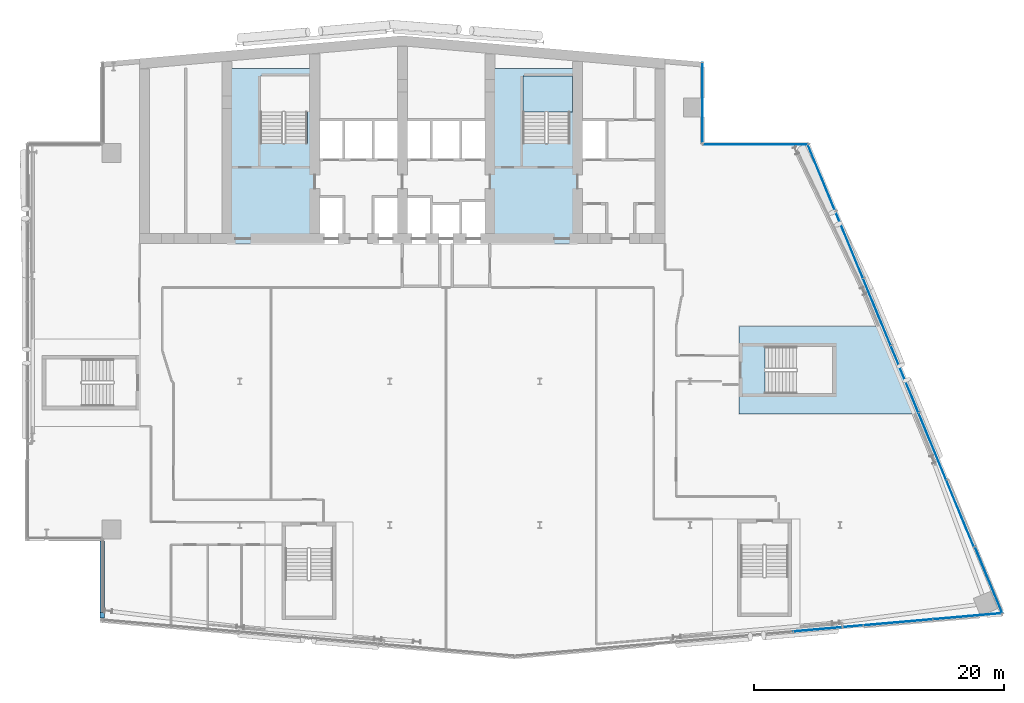
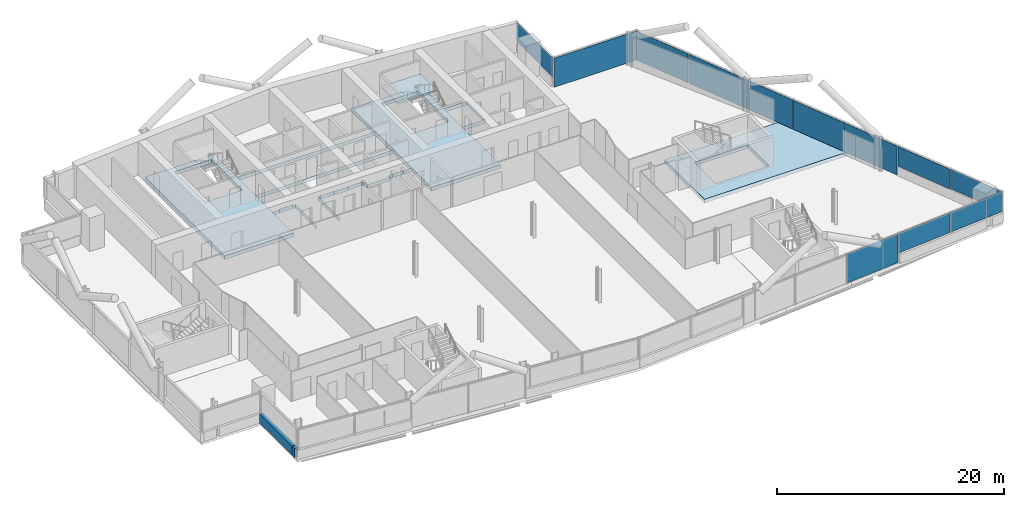
# One storey, part 14 of 26: 12 plates, 3 slabs, 2 walls, 5 elements without a shape of their own.
"""IFC4 building model written with IfcOpenShell, lengths in metres."""

from ifc_helpers import new_model, si_unit, direction, frame, frame_2d, origin, origin_2d, place, context, subcontext, project, spatial, polyline, rectangle, outline, extrude, material, layer, layer_set, type_object, element, aggregate, save


model = new_model("IFC4")

# Units and contexts
model_context = context("Model", 3, precision=1e-05, world=origin(), true_north=direction((0.0, 1.0)))
body_context = subcontext(model_context, "Body", "Model", "MODEL_VIEW")
ifc_project = project(units=[si_unit("LENGTHUNIT", "METRE"), si_unit("AREAUNIT", "SQUARE_METRE"), si_unit("VOLUMEUNIT", "CUBIC_METRE"), si_unit("PLANEANGLEUNIT", "RADIAN"), si_unit("MASSUNIT", "GRAM", prefix="KILO")], contexts=[model_context])

# Site, building, storey
site_placement = place(None, origin())
site = spatial("IfcSite", under=ifc_project, at=site_placement, CompositionType="ELEMENT")
building_placement = place(site_placement, origin())
building = spatial("IfcBuilding", under=site, at=building_placement, Name="Wharfspan Tower", CompositionType="ELEMENT")
storey_placement = place(building_placement, frame((0.0, 0.0, 184.300049)))
storey = spatial("IfcBuildingStorey", under=building, at=storey_placement, Name="L45", CompositionType="ELEMENT", Elevation=184.300049)

# Curtain wall, plates
ifc_material_1 = material(Name="Aluminium 6063-T6", Category="aluminium")
curtain_wall_type_1 = type_object("IfcCurtainWallType", Name="CURTAIN WALL FACETED FRONT", PredefinedType="NOTDEFINED", material=ifc_material_1)
curtain_wall_1_placement = place(storey_placement, origin())
curtain_wall_1 = element("IfcCurtainWall", 1, at=curtain_wall_1_placement, inside=storey, type_object=curtain_wall_type_1, Name="Curtain wall S2", PredefinedType="NOTDEFINED")
ifc_material_2 = material(Name="Glass clear low-iron double glazing", Category="glass")
ifc_layer_1 = layer(ifc_material_2, 0.040039)
ifc_layer_set_1 = layer_set([ifc_layer_1], Name="Glass clear low-iron double glazing")
plate_type_1 = type_object("IfcPlateType", Name="GLASS PANEL FACETED FRONT 40", PredefinedType="CURTAIN_PANEL", material=ifc_layer_set_1)
plate_1_placement = place(storey_placement, frame((76.637695, 3.728516, 1.0), z_axis=(0.0, 0.0, 1.0), x_axis=(0.996198, 0.087156, 0.0)))
plate_1 = element("IfcPlate", 2, at=plate_1_placement, type_object=plate_type_1, Name="Curtain wall S2 panel 6", PredefinedType="CURTAIN_PANEL", context=body_context, shape_type="SweptSolid", body=[
    extrude(rectangle(XDim=5.532715, YDim=0.040039, at=origin_2d()), origin(), (0.0, 0.0, 1.0), 2.120117),
])
plate_2_placement = place(storey_placement, frame((82.194092, 4.214844, 1.0), z_axis=(0.0, 0.0, 1.0), x_axis=(0.996198, 0.087156, 0.0)))
plate_2 = element("IfcPlate", 3, at=plate_2_placement, type_object=plate_type_1, Name="Curtain wall S2 panel 7", PredefinedType="CURTAIN_PANEL", context=body_context, shape_type="SweptSolid", body=[
    extrude(rectangle(XDim=5.502686, YDim=0.040039, at=origin_2d()), origin(), (0.0, 0.0, 1.0), 2.120117),
])

curtain_wall_type_2 = type_object("IfcCurtainWallType", Name="CURTAIN WALL PROW AND END", PredefinedType="NOTDEFINED", material=ifc_material_1)
curtain_wall_2_placement = place(storey_placement, origin())
curtain_wall_2 = element("IfcCurtainWall", 4, at=curtain_wall_2_placement, inside=storey, type_object=curtain_wall_type_2, Name="Curtain wall E", PredefinedType="NOTDEFINED")
ifc_layer_2 = layer(ifc_material_2, 0.040039)
ifc_layer_set_2 = layer_set([ifc_layer_2], Name="Glass clear low-iron double glazing")
plate_type_2 = type_object("IfcPlateType", Name="GLASS PANEL PROW AND END 40", PredefinedType="CURTAIN_PANEL", material=ifc_layer_set_2)
plate_3_placement = place(storey_placement, frame((83.885498, 7.099609, 1.0), z_axis=(0.0, 0.0, 1.0), x_axis=(-0.381602, 0.924325, 0.0)))
plate_3 = element("IfcPlate", 5, at=plate_3_placement, type_object=plate_type_2, Name="Curtain wall E panel 1", PredefinedType="CURTAIN_PANEL", context=body_context, shape_type="SweptSolid", body=[
    extrude(rectangle(XDim=5.721191, YDim=0.040039, at=origin_2d()), origin(), (0.0, 0.0, 1.0), 2.120117),
])
plate_4_placement = place(storey_placement, frame((81.599609, 12.426514, 1.0), z_axis=(0.0, 0.0, 1.0), x_axis=(-0.381602, 0.924325, 0.0)))
plate_4 = element("IfcPlate", 6, at=plate_4_placement, type_object=plate_type_2, Name="Curtain wall E panel 2", PredefinedType="CURTAIN_PANEL", context=body_context, shape_type="SweptSolid", body=[
    extrude(rectangle(XDim=5.751221, YDim=0.040039, at=origin_2d()), origin(), (0.0, 0.0, 1.0), 2.120117),
])

# Curtain wall, plate
curtain_wall_3_placement = place(storey_placement, origin())
curtain_wall_3 = element("IfcCurtainWall", 7, at=curtain_wall_3_placement, inside=storey, type_object=curtain_wall_type_2, Name="Curtain wall NRE-V", PredefinedType="NOTDEFINED")
plate_5_placement = place(storey_placement, frame((61.0, 45.262451, 1.0), z_axis=(0.0, 0.0, 1.0), x_axis=(0.0, 1.0, 0.0)))
plate_5 = element("IfcPlate", 8, at=plate_5_placement, type_object=plate_type_2, Name="Curtain wall NRE-V panel 1", PredefinedType="CURTAIN_PANEL", context=body_context, shape_type="SweptSolid", body=[
    extrude(rectangle(XDim=6.405029, YDim=0.040039, at=origin_2d()), origin(), (0.0, 0.0, 1.0), 2.120117),
])
aggregate(curtain_wall_3, [plate_5])

# Plate
ifc_material_3 = material(Name="Aluminium composite opaque insulated panel", Category="aluminium")
ifc_layer_3 = layer(ifc_material_3, 0.040039)
ifc_layer_set_3 = layer_set([ifc_layer_3], Name="Aluminium composite opaque insulated panel")
plate_type_3 = type_object("IfcPlateType", Name="INFILL PANEL FACETED FRONT OPAQUE 40", PredefinedType="SHEET", material=ifc_layer_set_3)
plate_6_placement = place(storey_placement, frame((71.066162, 3.241211, 0.0), z_axis=(0.0, 0.0, 1.0), x_axis=(0.996198, 0.087156, 0.0)))
plate_6 = element("IfcPlate", 9, at=plate_6_placement, type_object=plate_type_3, Name="Curtain wall S2 panel 5", PredefinedType="SHEET", context=body_context, shape_type="SweptSolid", body=[
    extrude(rectangle(XDim=5.532715, YDim=0.040039, at=origin_2d()), origin(), (0.0, 0.0, 1.0), 3.120117),
])

aggregate(curtain_wall_1, [plate_6, plate_1, plate_2])

ifc_layer_4 = layer(ifc_material_3, 0.040039)
ifc_layer_set_4 = layer_set([ifc_layer_4], Name="Aluminium composite opaque insulated panel")
plate_type_4 = type_object("IfcPlateType", Name="INFILL PANEL PROW AND END OPAQUE 40", PredefinedType="SHEET", material=ifc_layer_set_4)
plate_7_placement = place(storey_placement, frame((79.38208, 17.798096, 0.0), z_axis=(0.0, 0.0, 1.0), x_axis=(-0.381602, 0.924325, 0.0)))
plate_7 = element("IfcPlate", 10, at=plate_7_placement, type_object=plate_type_4, Name="Curtain wall E panel 3", PredefinedType="SHEET", context=body_context, shape_type="SweptSolid", body=[
    extrude(rectangle(XDim=5.751221, YDim=0.040039, at=origin_2d()), origin(), (0.0, 0.0, 1.0), 3.120117),
])

plate_8_placement = place(storey_placement, frame((77.164551, 23.169434, 0.0), z_axis=(0.0, 0.0, 1.0), x_axis=(-0.381602, 0.924325, 0.0)))
plate_8 = element("IfcPlate", 11, at=plate_8_placement, type_object=plate_type_4, Name="Curtain wall E panel 4", PredefinedType="SHEET", context=body_context, shape_type="SweptSolid", body=[
    extrude(rectangle(XDim=5.751221, YDim=0.040039, at=origin_2d()), origin(), (0.0, 0.0, 1.0), 3.120117),
])

plate_9_placement = place(storey_placement, frame((74.947021, 28.541016, 0.0), z_axis=(0.0, 0.0, 1.0), x_axis=(-0.381602, 0.924325, 0.0)))
plate_9 = element("IfcPlate", 12, at=plate_9_placement, type_object=plate_type_4, Name="Curtain wall E panel 5", PredefinedType="SHEET", context=body_context, shape_type="SweptSolid", body=[
    extrude(rectangle(XDim=5.751221, YDim=0.040039, at=origin_2d()), origin(), (0.0, 0.0, 1.0), 3.120117),
])

plate_10_placement = place(storey_placement, frame((72.729492, 33.912354, 0.0), z_axis=(0.0, 0.0, 1.0), x_axis=(-0.381602, 0.924325, 0.0)))
plate_10 = element("IfcPlate", 13, at=plate_10_placement, type_object=plate_type_4, Name="Curtain wall E panel 6", PredefinedType="SHEET", context=body_context, shape_type="SweptSolid", body=[
    extrude(rectangle(XDim=5.751221, YDim=0.040039, at=origin_2d()), origin(), (0.0, 0.0, 1.0), 3.120117),
])

plate_11_placement = place(storey_placement, frame((70.517578, 39.269775, 0.0), z_axis=(0.0, 0.0, 1.0), x_axis=(-0.381602, 0.924325, 0.0)))
plate_11 = element("IfcPlate", 14, at=plate_11_placement, type_object=plate_type_4, Name="Curtain wall E panel 7", PredefinedType="SHEET", context=body_context, shape_type="SweptSolid", body=[
    extrude(rectangle(XDim=5.721191, YDim=0.040039, at=origin_2d()), origin(), (0.0, 0.0, 1.0), 3.120117),
])

aggregate(curtain_wall_2, [plate_3, plate_4, plate_7, plate_8, plate_9, plate_10, plate_11])

# Curtain wall, plate
curtain_wall_4_placement = place(storey_placement, origin())
curtain_wall_4 = element("IfcCurtainWall", 15, at=curtain_wall_4_placement, inside=storey, type_object=curtain_wall_type_2, Name="Curtain wall NRE-H", PredefinedType="NOTDEFINED")
plate_12_placement = place(storey_placement, frame((65.238525, 41.919922, 0.0), z_axis=(0.0, 0.0, 1.0), x_axis=(-1.0, 0.0, 0.0)))
plate_12 = element("IfcPlate", 16, at=plate_12_placement, type_object=plate_type_4, Name="Curtain wall NRE-H panel 1", PredefinedType="SHEET", context=body_context, shape_type="SweptSolid", body=[
    extrude(rectangle(XDim=8.357178, YDim=0.040039, at=origin_2d()), origin(), (0.0, 0.0, 1.0), 3.120117),
])
aggregate(curtain_wall_4, [plate_12])

# Slabs
ifc_material_4 = material(Name="Concrete C40/50", Category="concrete")
ifc_layer_5 = layer(ifc_material_4, 0.399902)
ifc_layer_set_5 = layer_set([ifc_layer_5], Name="Concrete C40/50")
slab_type_1 = type_object("IfcSlabType", Name="Post-tensioned flat slab 400", PredefinedType="FLOOR", material=ifc_layer_set_5)
slab_1_placement = place(storey_placement, frame((0.0, 0.0, -0.400146)))
element("IfcSlab", 17, at=slab_1_placement, inside=storey, type_object=slab_type_1, Name="Core floor slab L45 part 3", PredefinedType="FLOOR", context=body_context, shape_type="SweptSolid", body=[
    extrude(outline(polyline([(23.0, 34.0), (29.998047, 34.0), (29.998047, 37.75), (29.998047, 37.750244), (29.998047, 37.750488), (29.998047, 37.750488), (29.998291, 37.750732), (29.998291, 37.750977), (29.998291, 37.751221), (29.998535, 37.751221), (29.998535, 37.751465), (29.998779, 37.751465), (29.998779, 37.751709), (29.999023, 37.751709), (29.999268, 37.751709), (29.999512, 37.751953), (29.999512, 37.751953), (29.999756, 37.751953), (30.0, 37.751953), (30.7146, 37.751953), (30.7146, 37.800049), (30.7146, 37.800293), (30.7146, 37.800293), (30.714844, 37.800537), (30.714844, 37.800781), (30.714844, 37.800781), (30.715088, 37.801025), (30.715088, 37.80127), (30.715332, 37.801514), (30.715332, 37.801514), (30.715576, 37.801758), (30.71582, 37.801758), (30.71582, 37.801758), (30.716064, 37.802002), (30.716309, 37.802002), (30.716553, 37.802002), (30.716797, 37.802002), (32.116699, 37.802002), (32.116943, 37.802002), (32.117188, 37.802002), (32.117188, 37.802002), (32.117432, 37.801758), (32.117676, 37.801758), (32.11792, 37.801758), (32.11792, 37.801514), (32.118164, 37.801514), (32.118164, 37.80127), (32.118408, 37.801025), (32.118408, 37.800781), (32.118408, 37.800781), (32.118652, 37.800537), (32.118652, 37.800293), (32.118652, 37.800293), (32.118652, 37.800049), (32.118652, 37.751953), (32.333252, 37.751953), (32.333496, 37.751953), (32.33374, 37.751953), (32.333984, 37.751953), (32.333984, 37.751709), (32.334229, 37.751709), (32.334473, 37.751709), (32.334717, 37.751465), (32.334717, 37.751465), (32.334961, 37.751221), (32.334961, 37.751221), (32.335205, 37.750977), (32.335205, 37.750732), (32.335205, 37.750488), (32.335205, 37.750488), (32.335205, 37.750244), (32.335205, 37.75), (32.335205, 34.0), (32.341309, 34.0), (32.341309, 37.758057), (32.126709, 37.758057), (32.126465, 37.758057), (32.126221, 37.758057), (32.126221, 37.758057), (32.125977, 37.758301), (32.125732, 37.758301), (32.125488, 37.758301), (32.125488, 37.758545), (32.125244, 37.758545), (32.125244, 37.758789), (32.125, 37.758789), (32.125, 37.759033), (32.125, 37.759277), (32.124756, 37.759521), (32.124756, 37.759521), (32.124756, 37.759766), (32.124756, 37.76001), (32.124756, 37.808105), (30.70874, 37.808105), (30.70874, 37.76001), (30.70874, 37.759766), (30.70874, 37.759521), (30.708496, 37.759521), (30.708496, 37.759277), (30.708496, 37.759033), (30.708496, 37.758789), (30.708252, 37.758789), (30.708008, 37.758545), (30.708008, 37.758545), (30.707764, 37.758301), (30.70752, 37.758301), (30.70752, 37.758301), (30.707275, 37.758057), (30.707031, 37.758057), (30.706787, 37.758057), (30.706787, 37.758057), (30.01001, 37.758057), (30.009766, 37.758057), (30.009521, 37.758057), (30.009521, 37.758057), (30.009277, 37.758301), (30.009033, 37.758301), (30.008789, 37.758301), (30.008789, 37.758545), (30.008545, 37.758545), (30.008545, 37.758789), (30.008301, 37.758789), (30.008301, 37.759033), (30.008301, 37.759277), (30.008057, 37.759521), (30.008057, 37.759521), (30.008057, 37.759766), (30.008057, 37.76001), (30.008057, 40.689941), (30.008057, 40.690186), (30.008057, 40.69043), (30.008057, 40.690674), (30.008301, 40.690918), (30.008301, 40.690918), (30.008301, 40.691162), (30.008545, 40.691406), (30.008545, 40.691406), (30.008789, 40.691406), (30.008789, 40.69165), (30.009033, 40.691895), (30.009277, 40.691895), (30.009521, 40.691895), (30.009521, 40.691895), (30.009766, 40.691895), (30.01001, 40.691895), (43.98999, 40.691895), (43.990234, 40.691895), (43.990479, 40.691895), (43.990479, 40.691895), (43.990723, 40.691895), (43.990967, 40.691895), (43.991211, 40.69165), (43.991211, 40.691406), (43.991455, 40.691406), (43.991455, 40.691406), (43.991699, 40.691162), (43.991699, 40.690918), (43.991699, 40.690918), (43.991943, 40.690674), (43.991943, 40.69043), (43.991943, 40.690186), (43.991943, 40.689941), (43.991943, 37.459961), (43.991943, 37.459717), (43.991943, 37.459717), (43.991943, 37.459473), (43.991699, 37.459229), (43.991699, 37.458984), (43.991699, 37.458984), (43.991455, 37.45874), (43.991455, 37.458496), (43.991211, 37.458496), (43.991211, 37.458252), (43.990967, 37.458252), (43.990723, 37.458252), (43.990479, 37.458008), (43.990479, 37.458008), (43.990234, 37.458008), (43.98999, 37.458008), (43.143311, 37.458008), (43.143066, 37.458008), (43.142822, 37.458008), (43.142578, 37.458008), (43.142578, 37.458252), (43.142334, 37.458252), (43.14209, 37.458252), (43.14209, 37.458496), (43.141846, 37.458496), (43.141846, 37.45874), (43.141602, 37.458984), (43.141602, 37.458984), (43.141602, 37.459229), (43.141357, 37.459473), (43.141357, 37.459717), (43.141357, 37.459717), (43.141357, 37.459961), (43.141357, 37.508057), (42.025391, 37.508057), (42.025391, 37.459961), (42.025391, 37.459717), (42.025391, 37.459717), (42.025146, 37.459473), (42.025146, 37.459229), (42.025146, 37.458984), (42.024902, 37.458984), (42.024902, 37.45874), (42.024658, 37.458496), (42.024658, 37.458496), (42.024414, 37.458252), (42.02417, 37.458252), (42.02417, 37.458252), (42.023926, 37.458008), (42.023682, 37.458008), (42.023438, 37.458008), (42.023193, 37.458008), (41.658691, 37.458008), (41.658691, 37.209961), (41.658691, 37.209717), (41.658691, 37.209717), (41.658691, 37.209473), (41.658447, 37.209229), (41.658447, 37.208984), (41.658447, 37.208984), (41.658203, 37.20874), (41.658203, 37.208496), (41.657959, 37.208496), (41.657715, 37.208252), (41.657715, 37.208252), (41.657471, 37.208252), (41.657227, 37.208008), (41.656982, 37.208008), (41.656982, 37.208008), (41.656738, 37.208008), (39.343262, 37.208008), (39.343018, 37.208008), (39.343018, 37.208008), (39.342773, 37.208008), (39.342529, 37.208252), (39.342285, 37.208252), (39.342285, 37.208252), (39.342041, 37.208496), (39.341797, 37.208496), (39.341797, 37.20874), (39.341553, 37.208984), (39.341553, 37.208984), (39.341553, 37.209229), (39.341309, 37.209473), (39.341309, 37.209717), (39.341309, 37.209717), (39.341309, 37.209961), (39.341309, 37.758057), (39.166748, 37.758057), (39.166504, 37.758057), (39.16626, 37.758057), (39.166016, 37.758057), (39.166016, 37.758301), (39.165771, 37.758301), (39.165527, 37.758301), (39.165283, 37.758545), (39.165283, 37.758545), (39.165283, 37.758789), (39.165039, 37.758789), (39.164795, 37.759033), (39.164795, 37.759277), (39.164795, 37.759521), (39.164795, 37.759521), (39.164795, 37.759766), (39.164795, 37.76001), (39.164795, 37.808105), (37.668701, 37.808105), (37.668701, 37.76001), (37.668701, 37.759766), (37.668701, 37.759521), (37.668701, 37.759521), (37.668457, 37.759277), (37.668457, 37.759033), (37.668457, 37.758789), (37.668213, 37.758789), (37.668213, 37.758545), (37.667969, 37.758545), (37.667725, 37.758301), (37.66748, 37.758301), (37.66748, 37.758301), (37.667236, 37.758057), (37.666992, 37.758057), (37.666992, 37.758057), (37.666748, 37.758057), (36.293213, 37.758057), (36.293213, 37.758057), (36.292969, 37.758057), (36.292725, 37.758057), (36.29248, 37.758301), (36.29248, 37.758301), (36.292236, 37.758301), (36.291992, 37.758545), (36.291992, 37.758545), (36.291748, 37.758789), (36.291504, 37.758789), (36.291504, 37.759033), (36.291504, 37.759277), (36.291504, 37.759521), (36.29126, 37.759521), (36.29126, 37.759766), (36.29126, 37.76001), (36.29126, 37.808105), (34.875244, 37.808105), (34.875244, 37.76001), (34.875244, 37.759766), (34.875244, 37.759521), (34.875244, 37.759521), (34.875, 37.759277), (34.875, 37.759033), (34.875, 37.758789), (34.874756, 37.758789), (34.874756, 37.758545), (34.874512, 37.758545), (34.874512, 37.758301), (34.874268, 37.758301), (34.874023, 37.758301), (34.873779, 37.758057), (34.873779, 37.758057), (34.873535, 37.758057), (34.873291, 37.758057), (34.658691, 37.758057), (34.658691, 34.0), (34.664795, 34.0), (34.664795, 37.75), (34.664795, 37.750244), (34.664795, 37.750488), (34.664795, 37.750488), (34.664795, 37.750732), (34.664795, 37.750977), (34.665039, 37.751221), (34.665039, 37.751221), (34.665283, 37.751465), (34.665283, 37.751465), (34.665527, 37.751709), (34.665771, 37.751709), (34.666016, 37.751709), (34.666016, 37.751953), (34.66626, 37.751953), (34.666504, 37.751953), (34.666748, 37.751953), (34.881348, 37.751953), (34.881348, 37.800049), (34.881348, 37.800293), (34.881348, 37.800293), (34.881348, 37.800537), (34.881592, 37.800781), (34.881592, 37.800781), (34.881592, 37.801025), (34.881836, 37.80127), (34.881836, 37.801514), (34.88208, 37.801514), (34.88208, 37.801758), (34.882324, 37.801758), (34.882568, 37.801758), (34.882812, 37.802002), (34.882812, 37.802002), (34.883057, 37.802002), (34.883301, 37.802002), (36.283203, 37.802002), (36.283447, 37.802002), (36.283691, 37.802002), (36.283936, 37.802002), (36.28418, 37.801758), (36.28418, 37.801758), (36.284424, 37.801758), (36.284668, 37.801514), (36.284668, 37.801514), (36.284912, 37.80127), (36.284912, 37.801025), (36.285156, 37.800781), (36.285156, 37.800781), (36.285156, 37.800537), (36.2854, 37.800293), (36.2854, 37.800293), (36.2854, 37.800049), (36.2854, 37.751953), (37.674805, 37.751953), (37.674805, 37.800049), (37.674805, 37.800293), (37.674805, 37.800293), (37.674805, 37.800537), (37.674805, 37.800781), (37.674805, 37.800781), (37.675049, 37.801025), (37.675049, 37.80127), (37.675293, 37.801514), (37.675293, 37.801514), (37.675537, 37.801758), (37.675781, 37.801758), (37.675781, 37.801758), (37.676025, 37.802002), (37.67627, 37.802002), (37.676514, 37.802002), (37.676758, 37.802002), (39.156738, 37.802002), (39.156982, 37.802002), (39.156982, 37.802002), (39.157227, 37.802002), (39.157471, 37.801758), (39.157715, 37.801758), (39.157715, 37.801758), (39.157959, 37.801514), (39.158203, 37.801514), (39.158203, 37.80127), (39.158203, 37.801025), (39.158447, 37.800781), (39.158447, 37.800781), (39.158691, 37.800537), (39.158691, 37.800293), (39.158691, 37.800293), (39.158691, 37.800049), (39.158691, 37.751953), (39.333252, 37.751953), (39.333496, 37.751953), (39.33374, 37.751953), (39.333984, 37.751953), (39.333984, 37.751709), (39.334229, 37.751709), (39.334473, 37.751709), (39.334717, 37.751465), (39.334717, 37.751465), (39.334961, 37.751221), (39.334961, 37.751221), (39.335205, 37.750977), (39.335205, 37.750732), (39.335205, 37.750488), (39.335205, 37.750488), (39.335205, 37.750244), (39.335205, 37.75), (39.335205, 37.201904), (41.664795, 37.201904), (41.664795, 37.449951), (41.664795, 37.450195), (41.664795, 37.450439), (41.664795, 37.450684), (41.664795, 37.450684), (41.664795, 37.450928), (41.665039, 37.451172), (41.665039, 37.451416), (41.665283, 37.451416), (41.665283, 37.451416), (41.665527, 37.45166), (41.665771, 37.451904), (41.666016, 37.451904), (41.666016, 37.451904), (41.66626, 37.451904), (41.666504, 37.451904), (41.666748, 37.451904), (42.03125, 37.451904), (42.03125, 37.5), (42.03125, 37.500244), (42.031494, 37.500488), (42.031494, 37.500488), (42.031494, 37.500732), (42.031494, 37.500977), (42.031738, 37.501221), (42.031738, 37.501221), (42.031982, 37.501465), (42.031982, 37.501465), (42.032227, 37.501709), (42.032471, 37.501709), (42.032715, 37.501709), (42.032715, 37.501953), (42.032959, 37.501953), (42.033203, 37.501953), (42.033203, 37.501953), (43.133301, 37.501953), (43.133545, 37.501953), (43.133789, 37.501953), (43.133789, 37.501953), (43.134033, 37.501709), (43.134277, 37.501709), (43.134521, 37.501709), (43.134521, 37.501465), (43.134766, 37.501465), (43.13501, 37.501221), (43.13501, 37.501221), (43.13501, 37.500977), (43.135254, 37.500732), (43.135254, 37.500488), (43.135254, 37.500488), (43.135254, 37.500244), (43.135254, 37.5), (43.135254, 37.451904), (44.0, 37.451904), (44.000244, 37.451904), (44.000488, 37.451904), (44.000488, 37.451904), (44.000732, 37.451904), (44.000977, 37.451904), (44.001221, 37.45166), (44.001221, 37.451416), (44.001465, 37.451416), (44.001465, 37.451416), (44.001709, 37.451172), (44.001709, 37.450928), (44.001709, 37.450684), (44.001953, 37.450684), (44.001953, 37.450439), (44.001953, 37.450195), (44.001953, 37.449951), (44.001953, 34.0), (51.0, 34.0), (51.008057, 34.0), (51.008057, 40.689941), (51.008057, 40.690186), (51.008057, 40.69043), (51.008057, 40.690674), (51.008301, 40.690918), (51.008301, 40.690918), (51.008301, 40.691162), (51.008545, 40.691406), (51.008545, 40.691406), (51.008789, 40.691406), (51.008789, 40.69165), (51.009033, 40.691895), (51.009277, 40.691895), (51.009521, 40.691895), (51.009521, 40.691895), (51.009766, 40.691895), (51.01001, 40.691895), (53.341309, 40.691895), (53.341309, 43.907959), (51.01001, 43.907959), (51.009766, 43.907959), (51.009521, 43.907959), (51.009521, 43.908203), (51.009277, 43.908203), (51.009033, 43.908203), (51.008789, 43.908203), (51.008789, 43.908447), (51.008545, 43.908691), (51.008545, 43.908691), (51.008301, 43.908936), (51.008301, 43.90918), (51.008301, 43.90918), (51.008057, 43.909424), (51.008057, 43.909668), (51.008057, 43.909912), (51.008057, 43.909912), (51.008057, 48.008057), (43.991943, 48.008057), (43.991943, 43.909912), (43.991943, 43.909912), (43.991943, 43.909668), (43.991943, 43.909424), (43.991699, 43.90918), (43.991699, 43.90918), (43.991699, 43.908936), (43.991455, 43.908691), (43.991455, 43.908691), (43.991211, 43.908447), (43.991211, 43.908203), (43.990967, 43.908203), (43.990723, 43.908203), (43.990479, 43.908203), (43.990479, 43.907959), (43.990234, 43.907959), (43.98999, 43.907959), (30.01001, 43.907959), (30.009766, 43.907959), (30.009521, 43.907959), (30.009521, 43.908203), (30.009277, 43.908203), (30.009033, 43.908203), (30.008789, 43.908203), (30.008789, 43.908447), (30.008545, 43.908691), (30.008545, 43.908691), (30.008301, 43.908936), (30.008301, 43.90918), (30.008301, 43.90918), (30.008057, 43.909424), (30.008057, 43.909668), (30.008057, 43.909912), (30.008057, 43.909912), (30.008057, 48.008057), (22.991943, 48.008057), (22.991943, 34.0), (23.0, 34.0)]), holes=[polyline([(53.333252, 43.9021), (53.333496, 43.9021), (53.33374, 43.9021), (53.333984, 43.901855), (53.333984, 43.901855), (53.334229, 43.901855), (53.334473, 43.901611), (53.334717, 43.901611), (53.334717, 43.901367), (53.334961, 43.901367), (53.334961, 43.901123), (53.335205, 43.900879), (53.335205, 43.900879), (53.335205, 43.900635), (53.335205, 43.900391), (53.335205, 43.900146), (53.335205, 43.899902), (53.335205, 40.699951), (53.335205, 40.699707), (53.335205, 40.699707), (53.335205, 40.699463), (53.335205, 40.699219), (53.335205, 40.699219), (53.334961, 40.698975), (53.334961, 40.69873), (53.334717, 40.698486), (53.334717, 40.698486), (53.334473, 40.698242), (53.334229, 40.698242), (53.333984, 40.698242), (53.333984, 40.697998), (53.33374, 40.697998), (53.333496, 40.697998), (53.333252, 40.697998), (51.0, 40.697998), (50.999756, 40.697998), (50.999512, 40.697998), (50.999512, 40.697998), (50.999268, 40.698242), (50.999023, 40.698242), (50.998779, 40.698242), (50.998779, 40.698486), (50.998535, 40.698486), (50.998535, 40.69873), (50.998291, 40.698975), (50.998291, 40.699219), (50.998291, 40.699219), (50.998047, 40.699463), (50.998047, 40.699707), (50.998047, 40.699707), (50.998047, 40.699951), (50.998047, 43.899902), (50.998047, 43.900146), (50.998047, 43.900391), (50.998047, 43.900635), (50.998291, 43.900879), (50.998291, 43.900879), (50.998291, 43.901123), (50.998535, 43.901367), (50.998535, 43.901367), (50.998779, 43.901611), (50.998779, 43.901611), (50.999023, 43.901855), (50.999268, 43.901855), (50.999512, 43.901855), (50.999512, 43.9021), (50.999756, 43.9021), (51.0, 43.9021), (53.333252, 43.9021)]), polyline([(46.649902, 41.998047), (46.649902, 41.998047), (46.649658, 41.998047), (46.649414, 41.998047), (46.64917, 41.998291), (46.64917, 41.998291), (46.648926, 41.998291), (46.648682, 41.998535), (46.648682, 41.998535), (46.648438, 41.998779), (46.648193, 41.998779), (46.648193, 41.999023), (46.648193, 41.999268), (46.648193, 41.999512), (46.647949, 41.999512), (46.647949, 41.999756), (46.647949, 42.0), (46.647949, 47.399902), (46.647949, 47.400146), (46.647949, 47.400391), (46.648193, 47.400635), (46.648193, 47.400879), (46.648193, 47.400879), (46.648193, 47.401123), (46.648438, 47.401367), (46.648682, 47.401367), (46.648682, 47.401611), (46.648926, 47.401611), (46.64917, 47.401855), (46.64917, 47.401855), (46.649414, 47.401855), (46.649658, 47.4021), (46.649902, 47.4021), (46.649902, 47.4021), (50.399902, 47.4021), (50.400146, 47.4021), (50.400391, 47.4021), (50.400635, 47.401855), (50.400879, 47.401855), (50.400879, 47.401855), (50.401123, 47.401611), (50.401367, 47.401611), (50.401367, 47.401367), (50.401611, 47.401367), (50.401611, 47.401123), (50.401855, 47.400879), (50.401855, 47.400879), (50.401855, 47.400635), (50.4021, 47.400391), (50.4021, 47.400146), (50.4021, 47.399902), (50.4021, 42.0), (50.4021, 41.999756), (50.4021, 41.999512), (50.401855, 41.999512), (50.401855, 41.999268), (50.401855, 41.999023), (50.401611, 41.998779), (50.401611, 41.998779), (50.401367, 41.998535), (50.401367, 41.998535), (50.401123, 41.998291), (50.400879, 41.998291), (50.400879, 41.998291), (50.400635, 41.998047), (50.400391, 41.998047), (50.400146, 41.998047), (50.399902, 41.998047), (46.649902, 41.998047)]), polyline([(44.0, 43.9021), (44.000244, 43.9021), (44.000488, 43.9021), (44.000488, 43.901855), (44.000732, 43.901855), (44.000977, 43.901855), (44.001221, 43.901611), (44.001221, 43.901611), (44.001465, 43.901367), (44.001465, 43.901367), (44.001709, 43.901123), (44.001709, 43.900879), (44.001709, 43.900879), (44.001953, 43.900635), (44.001953, 43.900391), (44.001953, 43.900146), (44.001953, 43.899902), (44.001953, 40.699951), (44.001953, 40.699707), (44.001953, 40.699707), (44.001953, 40.699463), (44.001709, 40.699219), (44.001709, 40.699219), (44.001709, 40.698975), (44.001465, 40.69873), (44.001465, 40.698486), (44.001221, 40.698486), (44.001221, 40.698242), (44.000977, 40.698242), (44.000732, 40.698242), (44.000488, 40.697998), (44.000488, 40.697998), (44.000244, 40.697998), (44.0, 40.697998), (30.0, 40.697998), (29.999756, 40.697998), (29.999512, 40.697998), (29.999512, 40.697998), (29.999268, 40.698242), (29.999023, 40.698242), (29.998779, 40.698242), (29.998779, 40.698486), (29.998535, 40.698486), (29.998535, 40.69873), (29.998291, 40.698975), (29.998291, 40.699219), (29.998291, 40.699219), (29.998047, 40.699463), (29.998047, 40.699707), (29.998047, 40.699707), (29.998047, 40.699951), (29.998047, 43.899902), (29.998047, 43.900146), (29.998047, 43.900391), (29.998047, 43.900635), (29.998291, 43.900879), (29.998291, 43.900879), (29.998291, 43.901123), (29.998535, 43.901367), (29.998535, 43.901367), (29.998779, 43.901611), (29.998779, 43.901611), (29.999023, 43.901855), (29.999268, 43.901855), (29.999512, 43.901855), (29.999512, 43.9021), (29.999756, 43.9021), (30.0, 43.9021), (44.0, 43.9021)]), polyline([(29.4021, 42.0), (29.4021, 41.999756), (29.4021, 41.999512), (29.401855, 41.999512), (29.401855, 41.999268), (29.401855, 41.999023), (29.401611, 41.998779), (29.401611, 41.998779), (29.401367, 41.998535), (29.401367, 41.998535), (29.401123, 41.998291), (29.400879, 41.998291), (29.400879, 41.998291), (29.400635, 41.998047), (29.400391, 41.998047), (29.400146, 41.998047), (29.399902, 41.998047), (25.649902, 41.998047), (25.649902, 41.998047), (25.649658, 41.998047), (25.649414, 41.998047), (25.64917, 41.998291), (25.64917, 41.998291), (25.648926, 41.998291), (25.648682, 41.998535), (25.648682, 41.998535), (25.648438, 41.998779), (25.648193, 41.998779), (25.648193, 41.999023), (25.648193, 41.999268), (25.648193, 41.999512), (25.647949, 41.999512), (25.647949, 41.999756), (25.647949, 42.0), (25.647949, 47.399902), (25.647949, 47.400146), (25.647949, 47.400391), (25.648193, 47.400635), (25.648193, 47.400879), (25.648193, 47.400879), (25.648193, 47.401123), (25.648438, 47.401367), (25.648682, 47.401367), (25.648682, 47.401611), (25.648926, 47.401611), (25.64917, 47.401855), (25.64917, 47.401855), (25.649414, 47.401855), (25.649658, 47.4021), (25.649902, 47.4021), (25.649902, 47.4021), (29.399902, 47.4021), (29.400146, 47.4021), (29.400391, 47.4021), (29.400635, 47.401855), (29.400879, 47.401855), (29.400879, 47.401855), (29.401123, 47.401611), (29.401367, 47.401611), (29.401367, 47.401367), (29.401611, 47.401367), (29.401611, 47.401123), (29.401855, 47.400879), (29.401855, 47.400879), (29.401855, 47.400635), (29.4021, 47.400391), (29.4021, 47.400146), (29.4021, 47.399902), (29.4021, 42.0)])]), origin(), (0.0, 0.0, 1.0), 0.400146),
])
slab_2_placement = place(storey_placement, frame((0.0, 0.0, -0.400146)))
element("IfcSlab", 18, at=slab_2_placement, inside=storey, type_object=slab_type_1, Name="Core floor slab L45 part 5", PredefinedType="FLOOR", context=body_context, shape_type="SweptSolid", body=[
    extrude(outline(polyline([(78.394531, 20.399902), (75.504639, 27.399902), (63.904541, 27.399902), (63.904541, 20.399902), (78.394531, 20.399902)]), holes=[polyline([(66.004639, 22.022949), (66.004395, 22.022949), (66.00415, 22.022949), (66.003906, 22.023193), (66.003906, 22.023193), (66.003662, 22.023193), (66.003418, 22.023193), (66.003418, 22.023438), (66.003174, 22.023682), (66.00293, 22.023682), (66.00293, 22.023926), (66.002686, 22.02417), (66.002686, 22.02417), (66.002686, 22.024414), (66.002686, 22.024658), (66.002686, 22.024902), (66.002686, 22.024902), (66.002686, 25.774902), (66.002686, 25.775146), (66.002686, 25.775391), (66.002686, 25.775635), (66.002686, 25.775879), (66.002686, 25.775879), (66.00293, 25.776123), (66.00293, 25.776367), (66.003174, 25.776367), (66.003418, 25.776611), (66.003418, 25.776611), (66.003662, 25.776855), (66.003906, 25.776855), (66.003906, 25.776855), (66.00415, 25.7771), (66.004395, 25.7771), (66.004639, 25.7771), (71.404541, 25.7771), (71.404785, 25.7771), (71.405029, 25.7771), (71.405273, 25.776855), (71.405518, 25.776855), (71.405518, 25.776855), (71.405762, 25.776611), (71.406006, 25.776611), (71.406006, 25.776367), (71.406006, 25.776367), (71.40625, 25.776123), (71.406494, 25.775879), (71.406494, 25.775879), (71.406494, 25.775635), (71.406494, 25.775391), (71.406494, 25.775146), (71.406494, 25.774902), (71.406494, 22.024902), (71.406494, 22.024902), (71.406494, 22.024658), (71.406494, 22.024414), (71.406494, 22.02417), (71.406494, 22.02417), (71.40625, 22.023926), (71.406006, 22.023682), (71.406006, 22.023682), (71.406006, 22.023438), (71.405762, 22.023193), (71.405518, 22.023193), (71.405518, 22.023193), (71.405273, 22.023193), (71.405029, 22.022949), (71.404785, 22.022949), (71.404541, 22.022949), (66.004639, 22.022949)])]), origin(), (0.0, 0.0, 1.0), 0.400146),
])

# Stair, slab
stair_type = type_object("IfcStairType", Name="Half-turn stair 20 risers 180 mm", PredefinedType="HALF_TURN_STAIR", material=ifc_material_4)
stair_placement = place(storey_placement, origin())
stair = element("IfcStair", 19, at=stair_placement, inside=storey, type_object=stair_type, Name="L45 stair ST2", PredefinedType="HALF_TURN_STAIR")
ifc_layer_6 = layer(ifc_material_4, 0.199951)
ifc_layer_set_6 = layer_set([ifc_layer_6], Name="Concrete C40/50")
slab_type_2 = type_object("IfcSlabType", Name="Stair landing 200", PredefinedType="LANDING", material=ifc_layer_set_6)
slab_3_placement = place(storey_placement, frame((0.0, 0.0, 1.599854)))
slab_3 = element("IfcSlab", 20, at=slab_3_placement, type_object=slab_type_2, Name="ST2 landing 1", PredefinedType="LANDING", context=body_context, shape_type="SweptSolid", body=[
    extrude(outline(polyline([(46.649902, 44.52002), (50.600098, 44.52002), (50.600098, 47.399902), (46.649902, 47.399902), (46.649902, 44.52002)])), origin(), (0.0, 0.0, 1.0), 0.200195),
])
aggregate(stair, [slab_3])

# Walls
ifc_layer_7 = layer(ifc_material_4, 0.350098)
ifc_layer_set_7 = layer_set([ifc_layer_7], Name="Concrete C40/50")
wall_type = type_object("IfcWallType", Name="SPANDREL EXPOSED CONCRETE 350", PredefinedType="SOLIDWALL", material=ifc_layer_set_7)
wall_1_placement = place(storey_placement, frame((12.995117, 10.219971, 0.0), z_axis=(0.0, 0.0, 1.0), x_axis=(0.0, -1.0, 0.0)))
element("IfcWall", 21, at=wall_1_placement, inside=storey, type_object=wall_type, Name="Spandrel upstand L45 NFW-V", PredefinedType="SOLIDWALL", context=body_context, shape_type="SweptSolid", body=[
    extrude(rectangle(XDim=5.693359, YDim=0.350098, at=frame_2d((2.84668, 0.0))), origin(), (0.0, 0.0, 1.0), 1.0),
])
wall_2_placement = place(storey_placement, frame((12.995117, 4.512451, 0.0), z_axis=(0.0, 0.0, 1.0), x_axis=(0.0, -1.0, 0.0)))
element("IfcWall", 22, at=wall_2_placement, inside=storey, type_object=wall_type, Name="Spandrel upstand L45 NFW-V 2", PredefinedType="SOLIDWALL", context=body_context, shape_type="SweptSolid", body=[
    extrude(rectangle(XDim=0.453613, YDim=0.350098, at=frame_2d((0.226807, 0.0))), origin(), (0.0, 0.0, 1.0), 1.0),
])

save(model, "model.ifc")
